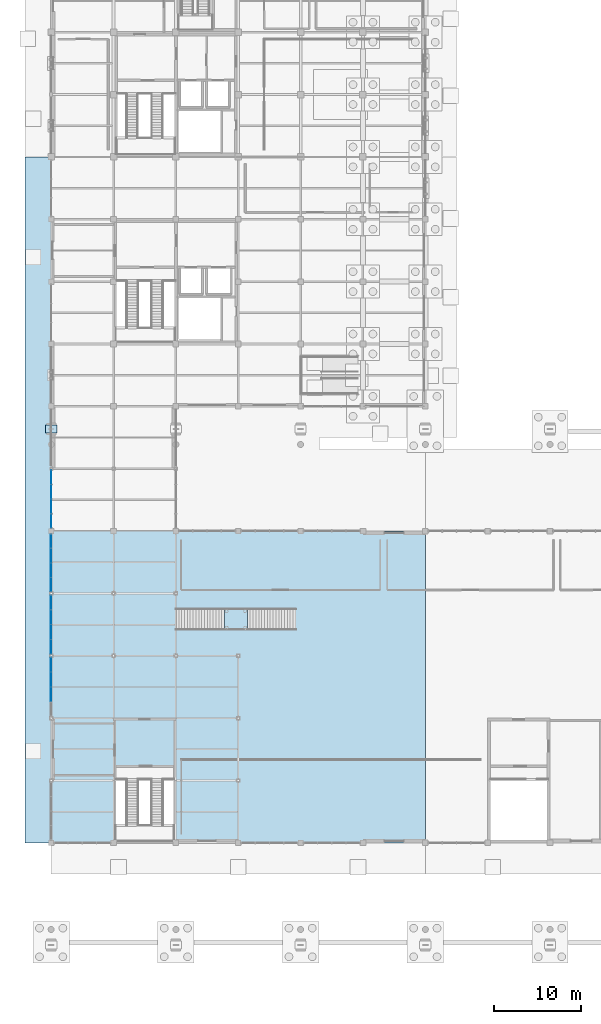
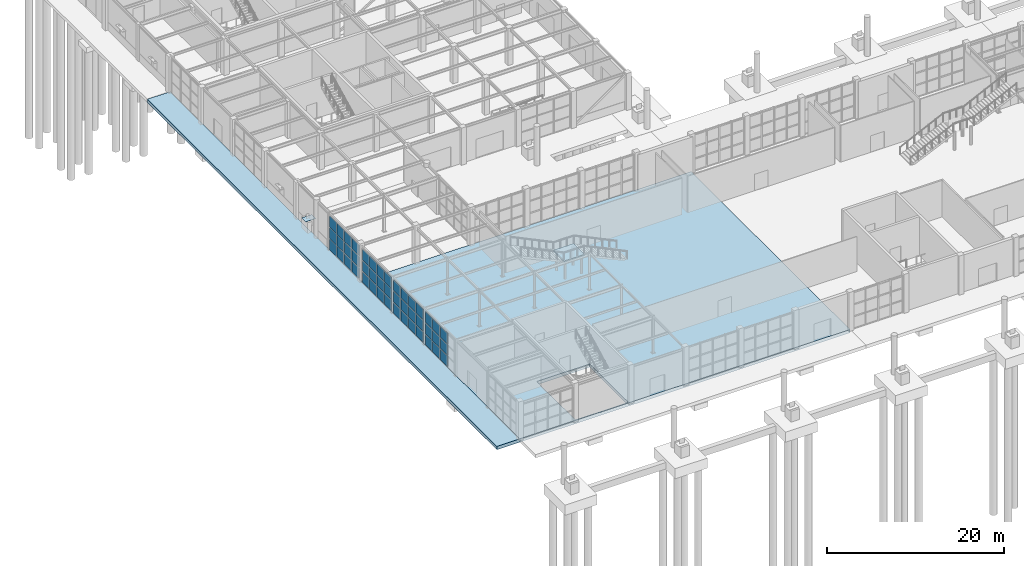
# One storey, part 39 of 75: 46 plates, 3 slabs, 5 elements without a shape of their own.
"""IFC4 building model written with IfcOpenShell, lengths in metres."""

from ifc_helpers import new_model, si_unit, direction, frame, origin, origin_2d, place, context, subcontext, project, spatial, polyline, rectangle, outline, extrude, material, layer, layer_set, type_object, element, aggregate, save


model = new_model("IFC4")

# Units and contexts
model_context = context("Model", 3, precision=1e-05, world=origin(), true_north=direction((0.0, 1.0)))
body_context = subcontext(model_context, "Body", "Model", "MODEL_VIEW")
ifc_project = project(units=[si_unit("LENGTHUNIT", "METRE"), si_unit("AREAUNIT", "SQUARE_METRE"), si_unit("VOLUMEUNIT", "CUBIC_METRE"), si_unit("PLANEANGLEUNIT", "RADIAN"), si_unit("MASSUNIT", "GRAM", prefix="KILO")], contexts=[model_context])

# Site, building, storey
site_placement = place(None, origin())
site = spatial("IfcSite", under=ifc_project, at=site_placement, CompositionType="ELEMENT")
building_placement = place(site_placement, origin())
building = spatial("IfcBuilding", under=site, at=building_placement, Name="Leyfeld Transit Interchange", CompositionType="ELEMENT")
storey_placement = place(building_placement, origin())
storey = spatial("IfcBuildingStorey", under=building, at=storey_placement, Name="L00", CompositionType="ELEMENT", Elevation=0.0)

# Curtain wall, plates
ifc_material_1 = material(Name="Anodised aluminium EN AW-6060 T66", Category="aluminium")
curtain_wall_type_1 = type_object("IfcCurtainWallType", Name="CW-SYS-PAS-7200", PredefinedType="NOTDEFINED", material=ifc_material_1)
curtain_wall_1_placement = place(storey_placement, origin())
curtain_wall_1 = element("IfcCurtainWall", 1, at=curtain_wall_1_placement, inside=storey, type_object=curtain_wall_type_1, Name="Curtain Wall CW-L00-006", PredefinedType="NOTDEFINED")
ifc_material_2 = material(Name="Triple low-E insulated glazing", Category="glass")
ifc_layer_1 = layer(ifc_material_2, 0.0380859375, Name="Triple low-E insulated glazing")
ifc_layer_set_1 = layer_set([ifc_layer_1], Name="Triple low-E insulated glazing")
plate_type_1 = type_object("IfcPlateType", Name="CW-PNL-GLZ-38", PredefinedType="CURTAIN_PANEL", material=ifc_layer_set_1)
plate_1_placement = place(storey_placement, frame((0.0, 51.580078125, 0.07373046875), z_axis=(0.0, 0.0, 1.0), x_axis=(0.0, 1.0, 0.0)))
plate_1 = element("IfcPlate", 2, at=plate_1_placement, type_object=plate_type_1, Name="Glazed Curtain Panel CW-L00-006-P01_1", PredefinedType="CURTAIN_PANEL", context=body_context, shape_type="SweptSolid", body=[
    extrude(rectangle(XDim=1.5830078125, YDim=0.0380859375, at=origin_2d()), origin(), (0.0, 0.0, 1.0), 1.512939453125),
])
plate_2_placement = place(storey_placement, frame((0.0, 51.580078125, 1.65869140625), z_axis=(0.0, 0.0, 1.0), x_axis=(0.0, 1.0, 0.0)))
plate_2 = element("IfcPlate", 3, at=plate_2_placement, type_object=plate_type_1, Name="Glazed Curtain Panel CW-L00-006-P01_2", PredefinedType="CURTAIN_PANEL", context=body_context, shape_type="SweptSolid", body=[
    extrude(rectangle(XDim=1.5830078125, YDim=0.0380859375, at=origin_2d()), origin(), (0.0, 0.0, 1.0), 1.512939453125),
])
plate_3_placement = place(storey_placement, frame((0.0, 51.580078125, 3.24365234375), z_axis=(0.0, 0.0, 1.0), x_axis=(0.0, 1.0, 0.0)))
plate_3 = element("IfcPlate", 4, at=plate_3_placement, type_object=plate_type_1, Name="Glazed Curtain Panel CW-L00-006-P01_3", PredefinedType="CURTAIN_PANEL", context=body_context, shape_type="SweptSolid", body=[
    extrude(rectangle(XDim=1.5830078125, YDim=0.0380859375, at=origin_2d()), origin(), (0.0, 0.0, 1.0), 1.512939453125),
])
plate_4_placement = place(storey_placement, frame((0.0, 53.25390625, 0.07373046875), z_axis=(0.0, 0.0, 1.0), x_axis=(0.0, 1.0, 0.0)))
plate_4 = element("IfcPlate", 5, at=plate_4_placement, type_object=plate_type_1, Name="Glazed Curtain Panel CW-L00-006-P02_1", PredefinedType="CURTAIN_PANEL", context=body_context, shape_type="SweptSolid", body=[
    extrude(rectangle(XDim=1.62060546875, YDim=0.0380859375, at=origin_2d()), origin(), (0.0, 0.0, 1.0), 1.512939453125),
])
plate_5_placement = place(storey_placement, frame((0.0, 53.25390625, 1.65869140625), z_axis=(0.0, 0.0, 1.0), x_axis=(0.0, 1.0, 0.0)))
plate_5 = element("IfcPlate", 6, at=plate_5_placement, type_object=plate_type_1, Name="Glazed Curtain Panel CW-L00-006-P02_2", PredefinedType="CURTAIN_PANEL", context=body_context, shape_type="SweptSolid", body=[
    extrude(rectangle(XDim=1.62060546875, YDim=0.0380859375, at=origin_2d()), origin(), (0.0, 0.0, 1.0), 1.512939453125),
])
plate_6_placement = place(storey_placement, frame((0.0, 53.25390625, 3.24365234375), z_axis=(0.0, 0.0, 1.0), x_axis=(0.0, 1.0, 0.0)))
plate_6 = element("IfcPlate", 7, at=plate_6_placement, type_object=plate_type_1, Name="Glazed Curtain Panel CW-L00-006-P02_3", PredefinedType="CURTAIN_PANEL", context=body_context, shape_type="SweptSolid", body=[
    extrude(rectangle(XDim=1.62060546875, YDim=0.0380859375, at=origin_2d()), origin(), (0.0, 0.0, 1.0), 1.512939453125),
])
plate_7_placement = place(storey_placement, frame((0.0, 54.9462890625, 0.07373046875), z_axis=(0.0, 0.0, 1.0), x_axis=(0.0, 1.0, 0.0)))
plate_7 = element("IfcPlate", 8, at=plate_7_placement, type_object=plate_type_1, Name="Glazed Curtain Panel CW-L00-006-P03_1", PredefinedType="CURTAIN_PANEL", context=body_context, shape_type="SweptSolid", body=[
    extrude(rectangle(XDim=1.62060546875, YDim=0.0380859375, at=origin_2d()), origin(), (0.0, 0.0, 1.0), 1.512939453125),
])
plate_8_placement = place(storey_placement, frame((0.0, 54.9462890625, 1.65869140625), z_axis=(0.0, 0.0, 1.0), x_axis=(0.0, 1.0, 0.0)))
plate_8 = element("IfcPlate", 9, at=plate_8_placement, type_object=plate_type_1, Name="Glazed Curtain Panel CW-L00-006-P03_2", PredefinedType="CURTAIN_PANEL", context=body_context, shape_type="SweptSolid", body=[
    extrude(rectangle(XDim=1.62060546875, YDim=0.0380859375, at=origin_2d()), origin(), (0.0, 0.0, 1.0), 1.512939453125),
])
plate_9_placement = place(storey_placement, frame((0.0, 54.9462890625, 3.24365234375), z_axis=(0.0, 0.0, 1.0), x_axis=(0.0, 1.0, 0.0)))
plate_9 = element("IfcPlate", 10, at=plate_9_placement, type_object=plate_type_1, Name="Glazed Curtain Panel CW-L00-006-P03_3", PredefinedType="CURTAIN_PANEL", context=body_context, shape_type="SweptSolid", body=[
    extrude(rectangle(XDim=1.62060546875, YDim=0.0380859375, at=origin_2d()), origin(), (0.0, 0.0, 1.0), 1.512939453125),
])
plate_10_placement = place(storey_placement, frame((0.0, 56.6201171875, 0.07373046875), z_axis=(0.0, 0.0, 1.0), x_axis=(0.0, 1.0, 0.0)))
plate_10 = element("IfcPlate", 11, at=plate_10_placement, type_object=plate_type_1, Name="Glazed Curtain Panel CW-L00-006-P04_1", PredefinedType="CURTAIN_PANEL", context=body_context, shape_type="SweptSolid", body=[
    extrude(rectangle(XDim=1.5830078125, YDim=0.0380859375, at=origin_2d()), origin(), (0.0, 0.0, 1.0), 1.512939453125),
])
plate_11_placement = place(storey_placement, frame((0.0, 56.6201171875, 1.65869140625), z_axis=(0.0, 0.0, 1.0), x_axis=(0.0, 1.0, 0.0)))
plate_11 = element("IfcPlate", 12, at=plate_11_placement, type_object=plate_type_1, Name="Glazed Curtain Panel CW-L00-006-P04_2", PredefinedType="CURTAIN_PANEL", context=body_context, shape_type="SweptSolid", body=[
    extrude(rectangle(XDim=1.5830078125, YDim=0.0380859375, at=origin_2d()), origin(), (0.0, 0.0, 1.0), 1.512939453125),
])
plate_12_placement = place(storey_placement, frame((0.0, 56.6201171875, 3.24365234375), z_axis=(0.0, 0.0, 1.0), x_axis=(0.0, 1.0, 0.0)))
plate_12 = element("IfcPlate", 13, at=plate_12_placement, type_object=plate_type_1, Name="Glazed Curtain Panel CW-L00-006-P04_3", PredefinedType="CURTAIN_PANEL", context=body_context, shape_type="SweptSolid", body=[
    extrude(rectangle(XDim=1.5830078125, YDim=0.0380859375, at=origin_2d()), origin(), (0.0, 0.0, 1.0), 1.512939453125),
])
aggregate(curtain_wall_1, [plate_1, plate_2, plate_3, plate_4, plate_5, plate_6, plate_7, plate_8, plate_9, plate_10, plate_11, plate_12])

curtain_wall_type_2 = type_object("IfcCurtainWallType", Name="CW-SYS-ARC-7200", PredefinedType="NOTDEFINED", material=ifc_material_1)
curtain_wall_2_placement = place(storey_placement, origin())
curtain_wall_2 = element("IfcCurtainWall", 14, at=curtain_wall_2_placement, inside=storey, type_object=curtain_wall_type_2, Name="Curtain Wall CW-L00-003", PredefinedType="NOTDEFINED")
ifc_layer_2 = layer(ifc_material_2, 0.0439453125, Name="Triple low-E insulated glazing")
ifc_layer_set_2 = layer_set([ifc_layer_2], Name="Triple low-E insulated glazing")
plate_type_2 = type_object("IfcPlateType", Name="CW-PNL-GLZ-44", PredefinedType="CURTAIN_PANEL", material=ifc_layer_set_2)
plate_13_placement = place(storey_placement, frame((0.0, 31.5419921875, 0.08349609375), z_axis=(0.0, 0.0, 1.0), x_axis=(0.0, 1.0, 0.0)))
plate_13 = element("IfcPlate", 15, at=plate_13_placement, type_object=plate_type_2, Name="Glazed Curtain Panel CW-L00-003-P02_1", PredefinedType="CURTAIN_PANEL", context=body_context, shape_type="SweptSolid", body=[
    extrude(rectangle(XDim=1.634033203125, YDim=0.0439453125, at=origin_2d()), origin(), (0.0, 0.0, 1.0), 1.479736328125),
])
plate_14_placement = place(storey_placement, frame((0.0, 31.5419921875, 1.645263671875), z_axis=(0.0, 0.0, 1.0), x_axis=(0.0, 1.0, 0.0)))
plate_14 = element("IfcPlate", 16, at=plate_14_placement, type_object=plate_type_2, Name="Glazed Curtain Panel CW-L00-003-P02_2", PredefinedType="CURTAIN_PANEL", context=body_context, shape_type="SweptSolid", body=[
    extrude(rectangle(XDim=1.634033203125, YDim=0.0439453125, at=origin_2d()), origin(), (0.0, 0.0, 1.0), 1.4794921875),
])
plate_15_placement = place(storey_placement, frame((0.0, 31.5419921875, 3.20654296875), z_axis=(0.0, 0.0, 1.0), x_axis=(0.0, 1.0, 0.0)))
plate_15 = element("IfcPlate", 17, at=plate_15_placement, type_object=plate_type_2, Name="Glazed Curtain Panel CW-L00-003-P02_3", PredefinedType="CURTAIN_PANEL", context=body_context, shape_type="SweptSolid", body=[
    extrude(rectangle(XDim=1.634033203125, YDim=0.0439453125, at=origin_2d()), origin(), (0.0, 0.0, 1.0), 1.479736328125),
])
plate_16_placement = place(storey_placement, frame((0.0, 33.258056640625, 0.08349609375), z_axis=(0.0, 0.0, 1.0), x_axis=(0.0, 1.0, 0.0)))
plate_16 = element("IfcPlate", 18, at=plate_16_placement, type_object=plate_type_2, Name="Glazed Curtain Panel CW-L00-003-P03_1", PredefinedType="CURTAIN_PANEL", context=body_context, shape_type="SweptSolid", body=[
    extrude(rectangle(XDim=1.634033203125, YDim=0.0439453125, at=origin_2d()), origin(), (0.0, 0.0, 1.0), 1.479736328125),
])
plate_17_placement = place(storey_placement, frame((0.0, 33.258056640625, 1.645263671875), z_axis=(0.0, 0.0, 1.0), x_axis=(0.0, 1.0, 0.0)))
plate_17 = element("IfcPlate", 19, at=plate_17_placement, type_object=plate_type_2, Name="Glazed Curtain Panel CW-L00-003-P03_2", PredefinedType="CURTAIN_PANEL", context=body_context, shape_type="SweptSolid", body=[
    extrude(rectangle(XDim=1.634033203125, YDim=0.0439453125, at=origin_2d()), origin(), (0.0, 0.0, 1.0), 1.4794921875),
])
plate_18_placement = place(storey_placement, frame((0.0, 33.258056640625, 3.20654296875), z_axis=(0.0, 0.0, 1.0), x_axis=(0.0, 1.0, 0.0)))
plate_18 = element("IfcPlate", 20, at=plate_18_placement, type_object=plate_type_2, Name="Glazed Curtain Panel CW-L00-003-P03_3", PredefinedType="CURTAIN_PANEL", context=body_context, shape_type="SweptSolid", body=[
    extrude(rectangle(XDim=1.634033203125, YDim=0.0439453125, at=origin_2d()), origin(), (0.0, 0.0, 1.0), 1.479736328125),
])
plate_19_placement = place(storey_placement, frame((0.0, 34.952880859375, 0.08349609375), z_axis=(0.0, 0.0, 1.0), x_axis=(0.0, 1.0, 0.0)))
plate_19 = element("IfcPlate", 21, at=plate_19_placement, type_object=plate_type_2, Name="Glazed Curtain Panel CW-L00-003-P04_1", PredefinedType="CURTAIN_PANEL", context=body_context, shape_type="SweptSolid", body=[
    extrude(rectangle(XDim=1.591552734375, YDim=0.0439453125, at=origin_2d()), origin(), (0.0, 0.0, 1.0), 1.479736328125),
])
plate_20_placement = place(storey_placement, frame((0.0, 34.952880859375, 1.645263671875), z_axis=(0.0, 0.0, 1.0), x_axis=(0.0, 1.0, 0.0)))
plate_20 = element("IfcPlate", 22, at=plate_20_placement, type_object=plate_type_2, Name="Glazed Curtain Panel CW-L00-003-P04_2", PredefinedType="CURTAIN_PANEL", context=body_context, shape_type="SweptSolid", body=[
    extrude(rectangle(XDim=1.591552734375, YDim=0.0439453125, at=origin_2d()), origin(), (0.0, 0.0, 1.0), 1.4794921875),
])
plate_21_placement = place(storey_placement, frame((0.0, 34.952880859375, 3.20654296875), z_axis=(0.0, 0.0, 1.0), x_axis=(0.0, 1.0, 0.0)))
plate_21 = element("IfcPlate", 23, at=plate_21_placement, type_object=plate_type_2, Name="Glazed Curtain Panel CW-L00-003-P04_3", PredefinedType="CURTAIN_PANEL", context=body_context, shape_type="SweptSolid", body=[
    extrude(rectangle(XDim=1.591552734375, YDim=0.0439453125, at=origin_2d()), origin(), (0.0, 0.0, 1.0), 1.479736328125),
])
aggregate(curtain_wall_2, [plate_13, plate_14, plate_15, plate_16, plate_17, plate_18, plate_19, plate_20, plate_21])

curtain_wall_3_placement = place(storey_placement, origin())
curtain_wall_3 = element("IfcCurtainWall", 24, at=curtain_wall_3_placement, inside=storey, type_object=curtain_wall_type_2, Name="Curtain Wall CW-L00-004", PredefinedType="NOTDEFINED")
plate_22_placement = place(storey_placement, frame((0.0, 37.047119140625, 0.08349609375), z_axis=(0.0, 0.0, 1.0), x_axis=(0.0, 1.0, 0.0)))
plate_22 = element("IfcPlate", 25, at=plate_22_placement, type_object=plate_type_2, Name="Glazed Curtain Panel CW-L00-004-P01_1", PredefinedType="CURTAIN_PANEL", context=body_context, shape_type="SweptSolid", body=[
    extrude(rectangle(XDim=1.591552734375, YDim=0.0439453125, at=origin_2d()), origin(), (0.0, 0.0, 1.0), 1.479736328125),
])
plate_23_placement = place(storey_placement, frame((0.0, 37.047119140625, 1.645263671875), z_axis=(0.0, 0.0, 1.0), x_axis=(0.0, 1.0, 0.0)))
plate_23 = element("IfcPlate", 26, at=plate_23_placement, type_object=plate_type_2, Name="Glazed Curtain Panel CW-L00-004-P01_2", PredefinedType="CURTAIN_PANEL", context=body_context, shape_type="SweptSolid", body=[
    extrude(rectangle(XDim=1.591552734375, YDim=0.0439453125, at=origin_2d()), origin(), (0.0, 0.0, 1.0), 1.4794921875),
])
plate_24_placement = place(storey_placement, frame((0.0, 37.047119140625, 3.20654296875), z_axis=(0.0, 0.0, 1.0), x_axis=(0.0, 1.0, 0.0)))
plate_24 = element("IfcPlate", 27, at=plate_24_placement, type_object=plate_type_2, Name="Glazed Curtain Panel CW-L00-004-P01_3", PredefinedType="CURTAIN_PANEL", context=body_context, shape_type="SweptSolid", body=[
    extrude(rectangle(XDim=1.591552734375, YDim=0.0439453125, at=origin_2d()), origin(), (0.0, 0.0, 1.0), 1.479736328125),
])
plate_25_placement = place(storey_placement, frame((0.0, 38.741943359375, 0.08349609375), z_axis=(0.0, 0.0, 1.0), x_axis=(0.0, 1.0, 0.0)))
plate_25 = element("IfcPlate", 28, at=plate_25_placement, type_object=plate_type_2, Name="Glazed Curtain Panel CW-L00-004-P02_1", PredefinedType="CURTAIN_PANEL", context=body_context, shape_type="SweptSolid", body=[
    extrude(rectangle(XDim=1.634033203125, YDim=0.0439453125, at=origin_2d()), origin(), (0.0, 0.0, 1.0), 1.479736328125),
])
plate_26_placement = place(storey_placement, frame((0.0, 38.741943359375, 1.645263671875), z_axis=(0.0, 0.0, 1.0), x_axis=(0.0, 1.0, 0.0)))
plate_26 = element("IfcPlate", 29, at=plate_26_placement, type_object=plate_type_2, Name="Glazed Curtain Panel CW-L00-004-P02_2", PredefinedType="CURTAIN_PANEL", context=body_context, shape_type="SweptSolid", body=[
    extrude(rectangle(XDim=1.634033203125, YDim=0.0439453125, at=origin_2d()), origin(), (0.0, 0.0, 1.0), 1.4794921875),
])
plate_27_placement = place(storey_placement, frame((0.0, 38.741943359375, 3.20654296875), z_axis=(0.0, 0.0, 1.0), x_axis=(0.0, 1.0, 0.0)))
plate_27 = element("IfcPlate", 30, at=plate_27_placement, type_object=plate_type_2, Name="Glazed Curtain Panel CW-L00-004-P02_3", PredefinedType="CURTAIN_PANEL", context=body_context, shape_type="SweptSolid", body=[
    extrude(rectangle(XDim=1.634033203125, YDim=0.0439453125, at=origin_2d()), origin(), (0.0, 0.0, 1.0), 1.479736328125),
])
plate_28_placement = place(storey_placement, frame((0.0, 40.4580078125, 0.08349609375), z_axis=(0.0, 0.0, 1.0), x_axis=(0.0, 1.0, 0.0)))
plate_28 = element("IfcPlate", 31, at=plate_28_placement, type_object=plate_type_2, Name="Glazed Curtain Panel CW-L00-004-P03_1", PredefinedType="CURTAIN_PANEL", context=body_context, shape_type="SweptSolid", body=[
    extrude(rectangle(XDim=1.634033203125, YDim=0.0439453125, at=origin_2d()), origin(), (0.0, 0.0, 1.0), 1.479736328125),
])
plate_29_placement = place(storey_placement, frame((0.0, 40.4580078125, 1.645263671875), z_axis=(0.0, 0.0, 1.0), x_axis=(0.0, 1.0, 0.0)))
plate_29 = element("IfcPlate", 32, at=plate_29_placement, type_object=plate_type_2, Name="Glazed Curtain Panel CW-L00-004-P03_2", PredefinedType="CURTAIN_PANEL", context=body_context, shape_type="SweptSolid", body=[
    extrude(rectangle(XDim=1.634033203125, YDim=0.0439453125, at=origin_2d()), origin(), (0.0, 0.0, 1.0), 1.4794921875),
])
plate_30_placement = place(storey_placement, frame((0.0, 40.4580078125, 3.20654296875), z_axis=(0.0, 0.0, 1.0), x_axis=(0.0, 1.0, 0.0)))
plate_30 = element("IfcPlate", 33, at=plate_30_placement, type_object=plate_type_2, Name="Glazed Curtain Panel CW-L00-004-P03_3", PredefinedType="CURTAIN_PANEL", context=body_context, shape_type="SweptSolid", body=[
    extrude(rectangle(XDim=1.634033203125, YDim=0.0439453125, at=origin_2d()), origin(), (0.0, 0.0, 1.0), 1.479736328125),
])
plate_31_placement = place(storey_placement, frame((0.0, 42.15283203125, 0.08349609375), z_axis=(0.0, 0.0, 1.0), x_axis=(0.0, 1.0, 0.0)))
plate_31 = element("IfcPlate", 34, at=plate_31_placement, type_object=plate_type_2, Name="Glazed Curtain Panel CW-L00-004-P04_1", PredefinedType="CURTAIN_PANEL", context=body_context, shape_type="SweptSolid", body=[
    extrude(rectangle(XDim=1.591552734375, YDim=0.0439453125, at=origin_2d()), origin(), (0.0, 0.0, 1.0), 1.479736328125),
])
plate_32_placement = place(storey_placement, frame((0.0, 42.15283203125, 1.645263671875), z_axis=(0.0, 0.0, 1.0), x_axis=(0.0, 1.0, 0.0)))
plate_32 = element("IfcPlate", 35, at=plate_32_placement, type_object=plate_type_2, Name="Glazed Curtain Panel CW-L00-004-P04_2", PredefinedType="CURTAIN_PANEL", context=body_context, shape_type="SweptSolid", body=[
    extrude(rectangle(XDim=1.591552734375, YDim=0.0439453125, at=origin_2d()), origin(), (0.0, 0.0, 1.0), 1.4794921875),
])
plate_33_placement = place(storey_placement, frame((0.0, 42.15283203125, 3.20654296875), z_axis=(0.0, 0.0, 1.0), x_axis=(0.0, 1.0, 0.0)))
plate_33 = element("IfcPlate", 36, at=plate_33_placement, type_object=plate_type_2, Name="Glazed Curtain Panel CW-L00-004-P04_3", PredefinedType="CURTAIN_PANEL", context=body_context, shape_type="SweptSolid", body=[
    extrude(rectangle(XDim=1.591552734375, YDim=0.0439453125, at=origin_2d()), origin(), (0.0, 0.0, 1.0), 1.479736328125),
])
aggregate(curtain_wall_3, [plate_22, plate_23, plate_24, plate_25, plate_26, plate_27, plate_28, plate_29, plate_30, plate_31, plate_32, plate_33])

curtain_wall_4_placement = place(storey_placement, origin())
curtain_wall_4 = element("IfcCurtainWall", 37, at=curtain_wall_4_placement, inside=storey, type_object=curtain_wall_type_2, Name="Curtain Wall CW-L00-005", PredefinedType="NOTDEFINED")
plate_34_placement = place(storey_placement, frame((0.0, 44.228759765625, 0.08349609375), z_axis=(0.0, 0.0, 1.0), x_axis=(0.0, 1.0, 0.0)))
plate_34 = element("IfcPlate", 38, at=plate_34_placement, type_object=plate_type_2, Name="Glazed Curtain Panel CW-L00-005-P01_1", PredefinedType="CURTAIN_PANEL", context=body_context, shape_type="SweptSolid", body=[
    extrude(rectangle(XDim=1.5546875, YDim=0.0439453125, at=origin_2d()), origin(), (0.0, 0.0, 1.0), 1.479736328125),
])
plate_35_placement = place(storey_placement, frame((0.0, 44.228759765625, 1.645263671875), z_axis=(0.0, 0.0, 1.0), x_axis=(0.0, 1.0, 0.0)))
plate_35 = element("IfcPlate", 39, at=plate_35_placement, type_object=plate_type_2, Name="Glazed Curtain Panel CW-L00-005-P01_2", PredefinedType="CURTAIN_PANEL", context=body_context, shape_type="SweptSolid", body=[
    extrude(rectangle(XDim=1.5546875, YDim=0.0439453125, at=origin_2d()), origin(), (0.0, 0.0, 1.0), 1.4794921875),
])
plate_36_placement = place(storey_placement, frame((0.0, 44.228759765625, 3.20654296875), z_axis=(0.0, 0.0, 1.0), x_axis=(0.0, 1.0, 0.0)))
plate_36 = element("IfcPlate", 40, at=plate_36_placement, type_object=plate_type_2, Name="Glazed Curtain Panel CW-L00-005-P01_3", PredefinedType="CURTAIN_PANEL", context=body_context, shape_type="SweptSolid", body=[
    extrude(rectangle(XDim=1.5546875, YDim=0.0439453125, at=origin_2d()), origin(), (0.0, 0.0, 1.0), 1.479736328125),
])
plate_37_placement = place(storey_placement, frame((0.0, 45.88671875, 0.08349609375), z_axis=(0.0, 0.0, 1.0), x_axis=(0.0, 1.0, 0.0)))
plate_37 = element("IfcPlate", 41, at=plate_37_placement, type_object=plate_type_2, Name="Glazed Curtain Panel CW-L00-005-P02_1", PredefinedType="CURTAIN_PANEL", context=body_context, shape_type="SweptSolid", body=[
    extrude(rectangle(XDim=1.597412109375, YDim=0.0439453125, at=origin_2d()), origin(), (0.0, 0.0, 1.0), 1.479736328125),
])
plate_38_placement = place(storey_placement, frame((0.0, 45.88671875, 1.645263671875), z_axis=(0.0, 0.0, 1.0), x_axis=(0.0, 1.0, 0.0)))
plate_38 = element("IfcPlate", 42, at=plate_38_placement, type_object=plate_type_2, Name="Glazed Curtain Panel CW-L00-005-P02_2", PredefinedType="CURTAIN_PANEL", context=body_context, shape_type="SweptSolid", body=[
    extrude(rectangle(XDim=1.597412109375, YDim=0.0439453125, at=origin_2d()), origin(), (0.0, 0.0, 1.0), 1.4794921875),
])
plate_39_placement = place(storey_placement, frame((0.0, 45.88671875, 3.20654296875), z_axis=(0.0, 0.0, 1.0), x_axis=(0.0, 1.0, 0.0)))
plate_39 = element("IfcPlate", 43, at=plate_39_placement, type_object=plate_type_2, Name="Glazed Curtain Panel CW-L00-005-P02_3", PredefinedType="CURTAIN_PANEL", context=body_context, shape_type="SweptSolid", body=[
    extrude(rectangle(XDim=1.597412109375, YDim=0.0439453125, at=origin_2d()), origin(), (0.0, 0.0, 1.0), 1.479736328125),
])
plate_40_placement = place(storey_placement, frame((0.0, 47.566162109375, 0.08349609375), z_axis=(0.0, 0.0, 1.0), x_axis=(0.0, 1.0, 0.0)))
plate_40 = element("IfcPlate", 44, at=plate_40_placement, type_object=plate_type_2, Name="Glazed Curtain Panel CW-L00-005-P03_1", PredefinedType="CURTAIN_PANEL", context=body_context, shape_type="SweptSolid", body=[
    extrude(rectangle(XDim=1.597412109375, YDim=0.0439453125, at=origin_2d()), origin(), (0.0, 0.0, 1.0), 1.479736328125),
])
plate_41_placement = place(storey_placement, frame((0.0, 47.566162109375, 1.645263671875), z_axis=(0.0, 0.0, 1.0), x_axis=(0.0, 1.0, 0.0)))
plate_41 = element("IfcPlate", 45, at=plate_41_placement, type_object=plate_type_2, Name="Glazed Curtain Panel CW-L00-005-P03_2", PredefinedType="CURTAIN_PANEL", context=body_context, shape_type="SweptSolid", body=[
    extrude(rectangle(XDim=1.597412109375, YDim=0.0439453125, at=origin_2d()), origin(), (0.0, 0.0, 1.0), 1.4794921875),
])
plate_42_placement = place(storey_placement, frame((0.0, 47.566162109375, 3.20654296875), z_axis=(0.0, 0.0, 1.0), x_axis=(0.0, 1.0, 0.0)))
plate_42 = element("IfcPlate", 46, at=plate_42_placement, type_object=plate_type_2, Name="Glazed Curtain Panel CW-L00-005-P03_3", PredefinedType="CURTAIN_PANEL", context=body_context, shape_type="SweptSolid", body=[
    extrude(rectangle(XDim=1.597412109375, YDim=0.0439453125, at=origin_2d()), origin(), (0.0, 0.0, 1.0), 1.479736328125),
])
plate_43_placement = place(storey_placement, frame((0.0, 49.22412109375, 0.08349609375), z_axis=(0.0, 0.0, 1.0), x_axis=(0.0, 1.0, 0.0)))
plate_43 = element("IfcPlate", 47, at=plate_43_placement, type_object=plate_type_2, Name="Glazed Curtain Panel CW-L00-005-P04_1", PredefinedType="CURTAIN_PANEL", context=body_context, shape_type="SweptSolid", body=[
    extrude(rectangle(XDim=1.5546875, YDim=0.0439453125, at=origin_2d()), origin(), (0.0, 0.0, 1.0), 1.479736328125),
])
plate_44_placement = place(storey_placement, frame((0.0, 49.22412109375, 1.645263671875), z_axis=(0.0, 0.0, 1.0), x_axis=(0.0, 1.0, 0.0)))
plate_44 = element("IfcPlate", 48, at=plate_44_placement, type_object=plate_type_2, Name="Glazed Curtain Panel CW-L00-005-P04_2", PredefinedType="CURTAIN_PANEL", context=body_context, shape_type="SweptSolid", body=[
    extrude(rectangle(XDim=1.5546875, YDim=0.0439453125, at=origin_2d()), origin(), (0.0, 0.0, 1.0), 1.4794921875),
])
plate_45_placement = place(storey_placement, frame((0.0, 49.22412109375, 3.20654296875), z_axis=(0.0, 0.0, 1.0), x_axis=(0.0, 1.0, 0.0)))
plate_45 = element("IfcPlate", 49, at=plate_45_placement, type_object=plate_type_2, Name="Glazed Curtain Panel CW-L00-005-P04_3", PredefinedType="CURTAIN_PANEL", context=body_context, shape_type="SweptSolid", body=[
    extrude(rectangle(XDim=1.5546875, YDim=0.0439453125, at=origin_2d()), origin(), (0.0, 0.0, 1.0), 1.479736328125),
])
aggregate(curtain_wall_4, [plate_34, plate_35, plate_36, plate_37, plate_38, plate_39, plate_40, plate_41, plate_42, plate_43, plate_44, plate_45])

# Plate
ifc_material_3 = material(Name="Steel S355J2", Category="steel")
ifc_layer_3 = layer(ifc_material_3, 0.035888671875, Name="Steel S355J2")
ifc_layer_set_3 = layer_set([ifc_layer_3], Name="Steel S355J2")
plate_type_3 = type_object("IfcPlateType", Name="PLT-BASE-36", PredefinedType="USERDEFINED", material=ifc_layer_set_3)
plate_46_placement = place(storey_placement, frame((0.0, 62.199951171875, 1.5), z_axis=(0.0, 0.0, 1.0), x_axis=(1.0, 0.0, 0.0)))
element("IfcPlate", 50, at=plate_46_placement, inside=storey, type_object=plate_type_3, Name="Arch Baseplate GP-W 12", ObjectType="BASE_PLATE", PredefinedType="USERDEFINED", context=body_context, shape_type="SweptSolid", body=[
    extrude(rectangle(XDim=1.300048828125, YDim=0.89990234375, at=origin_2d()), origin(), (0.0, 0.0, 1.0), 0.035888671875),
])

# Stair, slab
ifc_material_4 = material(Name="Precast concrete C40/50", Category="concrete")
stair_type = type_object("IfcStairType", Name="STR-SR-150x330", PredefinedType="STRAIGHT_RUN_STAIR", material=ifc_material_4)
stair_placement = place(storey_placement, origin())
stair = element("IfcStair", 51, at=stair_placement, inside=storey, type_object=stair_type, Name="Concourse Feature Stair ST-10", PredefinedType="STRAIGHT_RUN_STAIR")
ifc_layer_4 = layer(ifc_material_4, 0.219970703125, Name="Precast concrete C40/50")
ifc_layer_set_4 = layer_set([ifc_layer_4], Name="Precast concrete C40/50")
slab_type_1 = type_object("IfcSlabType", Name="SLB-LND-220", PredefinedType="LANDING", material=ifc_layer_set_4)
slab_1_placement = place(storey_placement, frame((0.0, 0.0, 2.47998046875)))
slab_1 = element("IfcSlab", 52, at=slab_1_placement, type_object=slab_type_1, Name="Concourse Feature Stair ST-10 Mid Landing", PredefinedType="LANDING", context=body_context, shape_type="SweptSolid", body=[
    extrude(outline(polyline([(20.010009765625, 38.949951171875), (22.64990234375, 38.949951171875), (22.64990234375, 41.449951171875), (20.010009765625, 41.449951171875), (20.010009765625, 38.949951171875)])), origin(), (0.0, 0.0, 1.0), 0.219970703125),
])
aggregate(stair, [slab_1])

# Slabs
ifc_material_5 = material(Name="Concrete C40/50", Category="concrete")
ifc_layer_5 = layer(ifc_material_5, 0.449951171875, Name="Concrete C40/50")
ifc_layer_set_5 = layer_set([ifc_layer_5], Name="Concrete C40/50")
slab_type_2 = type_object("IfcSlabType", Name="SLB-TRF-450", PredefinedType="FLOOR", material=ifc_layer_set_5)
slab_2_placement = place(storey_placement, frame((0.0, 0.0, -0.449951171875)))
element("IfcSlab", 53, at=slab_2_placement, inside=storey, type_object=slab_type_2, Name="Slab V1 L00 B1", PredefinedType="FLOOR", context=body_context, shape_type="SweptSolid", body=[
    extrude(outline(polyline([(43.199951171875, 50.39990234375), (0.0, 50.39990234375), (0.0, 14.39990234375), (43.199951171875, 14.39990234375), (43.199951171875, 50.39990234375)]), holes=[polyline([(14.260009765625, 14.5400390625), (7.340087890625, 14.5400390625), (7.340087890625, 23.25), (14.260009765625, 23.25), (14.260009765625, 14.5400390625)])]), origin(), (0.0, 0.0, 1.0), 0.449951171875),
])
slab_3_placement = place(storey_placement, frame((0.0, 0.0, -0.449951171875)))
element("IfcSlab", 54, at=slab_3_placement, inside=storey, type_object=slab_type_2, Name="Outdoor Roof Terrace PLZ_LID2 L00", PredefinedType="FLOOR", context=body_context, shape_type="SweptSolid", body=[
    extrude(outline(polyline([(0.0, 93.574951171875), (-3.0, 93.574951171875), (-3.0, 14.39990234375), (0.0, 14.39990234375), (0.0, 50.39990234375), (0.0, 64.800048828125), (0.0, 93.574951171875), (0.0, 93.574951171875)])), origin(), (0.0, 0.0, 1.0), 0.449951171875),
])

save(model, "model.ifc")
